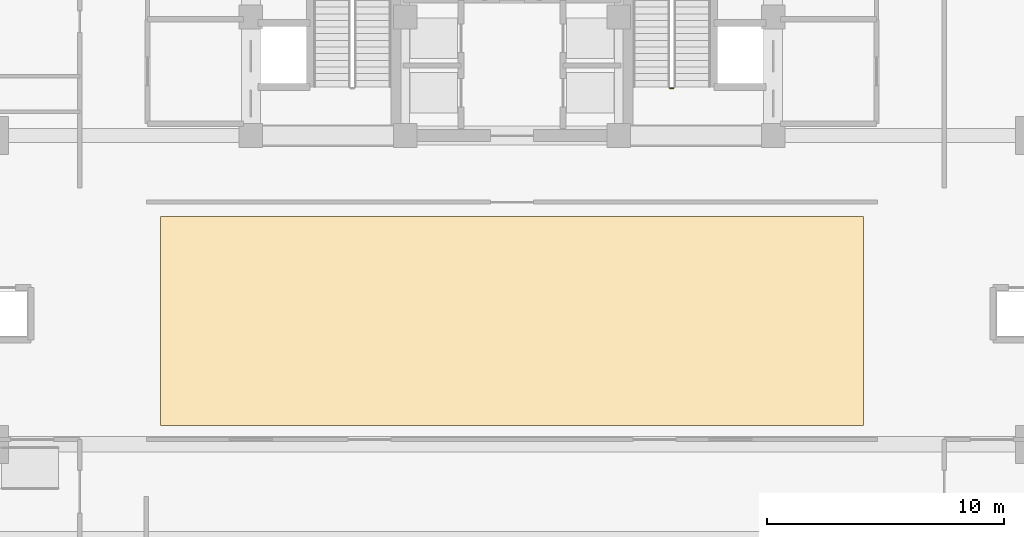
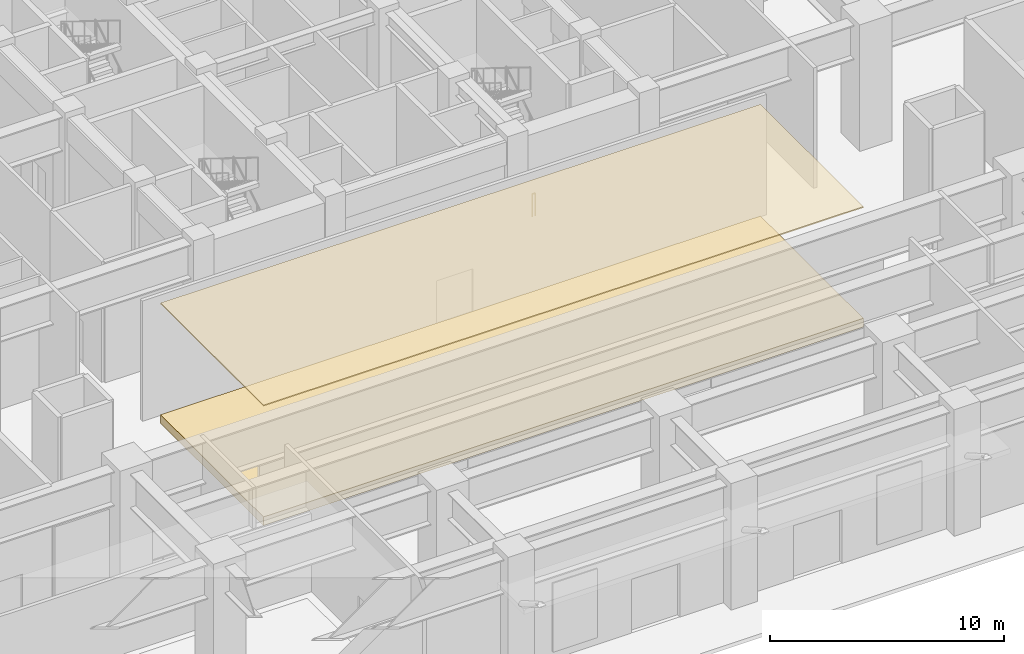
# One storey, part 17 of 21: 2 coverings, 1 railing.
"""IFC4 building model written with IfcOpenShell, lengths in metres."""

from ifc_helpers import new_model, si_unit, direction, frame, origin, origin_2d, place, context, subcontext, project, spatial, polyline, circle, outline, extrude, source, transform, mapped, material, layer, layer_set, type_object, element, save


model = new_model("IFC4")

# Units and contexts
model_context = context("Model", 3, precision=1e-05, world=origin(), true_north=direction((0.0, 1.0)))
body_context = subcontext(model_context, "Body", "Model", "MODEL_VIEW")
ifc_project = project(units=[si_unit("LENGTHUNIT", "METRE"), si_unit("AREAUNIT", "SQUARE_METRE"), si_unit("VOLUMEUNIT", "CUBIC_METRE"), si_unit("PLANEANGLEUNIT", "RADIAN"), si_unit("MASSUNIT", "GRAM", prefix="KILO")], contexts=[model_context])

# Site, building, storey
site_placement = place(None, origin())
site = spatial("IfcSite", under=ifc_project, at=site_placement, CompositionType="ELEMENT")
building_placement = place(site_placement, origin())
building = spatial("IfcBuilding", under=site, at=building_placement, Name="Khorayat Bourse Tower", CompositionType="ELEMENT")
storey_placement = place(building_placement, origin())
storey = spatial("IfcBuildingStorey", under=building, at=storey_placement, Name="L00", CompositionType="ELEMENT", Elevation=0.0)

# Coverings
ifc_material_1 = material(Name="Perforated aluminium acoustic ceiling", Category="aluminium")
ifc_layer_1 = layer(ifc_material_1, 0.06005859375)
ifc_layer_set_1 = layer_set([ifc_layer_1], Name="Perforated aluminium acoustic ceiling")
covering_type_1 = type_object("IfcCoveringType", Name="COV-CEIL-BAFFLE", PredefinedType="CEILING", material=ifc_layer_set_1)
covering_1_placement = place(storey_placement, frame((0.0, 0.0, 6.219970703125)))
element("IfcCovering", 1, at=covering_1_placement, inside=storey, type_object=covering_type_1, Name="L00 Suspended Ceiling 1", PredefinedType="CEILING", context=body_context, shape_type="SweptSolid", body=[
    extrude(outline(polyline([(-14.800048828125, -23.199951171875), (14.800048828125, -23.199951171875), (14.800048828125, -14.39990234375), (-14.800048828125, -14.39990234375), (-14.800048828125, -23.199951171875)])), origin(), (0.0, 0.0, 1.0), 0.06005859375),
])
ifc_material_2 = material(Name="Calcium-sulphate raised access floor")
ifc_layer_2 = layer(ifc_material_2, 0.449951171875)
ifc_layer_set_2 = layer_set([ifc_layer_2], Name="Calcium-sulphate raised access floor")
covering_type_2 = type_object("IfcCoveringType", Name="COV-RAF-TRADING", PredefinedType="FLOORING", material=ifc_layer_set_2)
covering_2_placement = place(storey_placement, origin())
element("IfcCovering", 2, at=covering_2_placement, inside=storey, type_object=covering_type_2, Name="L00 Raised Access Floor 1", PredefinedType="FLOORING", context=body_context, shape_type="SweptSolid", body=[
    extrude(outline(polyline([(-14.800048828125, -23.199951171875), (14.800048828125, -23.199951171875), (14.800048828125, -14.39990234375), (-14.800048828125, -14.39990234375), (-14.800048828125, -23.199951171875)])), origin(), (0.0, 0.0, 1.0), 0.449951171875),
])

# Railing
ifc_material_3 = material(Name="Powder-coated steel balustrade", Category="steel")
railing_type = type_object("IfcRailingType", Name="RLG-GUARD-1200", PredefinedType="GUARDRAIL", material=ifc_material_3)
shared_shape = source(origin(), body_context, "Body", "SweptSolid", [
    extrude(circle(Radius=0.02392578125, at=origin_2d()), frame((0.0, 0.0, 1.17578125), z_axis=(-1.0, 0.0, 0.0), x_axis=(0.0, -1.0, 0.0)), (0.0, 0.0, 1.0), 0.150146484375),
    extrude(circle(Radius=0.02099609375, at=origin_2d()), origin(), (0.0, 0.0, 1.0), 1.15185546875),
    extrude(circle(Radius=0.02099609375, at=origin_2d()), frame((-0.150146484375, 0.0, 0.0)), (0.0, 0.0, 1.0), 1.15185546875),
])
railing_placement = place(storey_placement, frame((6.800048828125, -9.0, 0.0)))
element("IfcRailing", 3, at=railing_placement, inside=storey, type_object=railing_type, Name="L00 ST-3 stair guard 4", PredefinedType="GUARDRAIL", context=body_context, shape_type="MappedRepresentation", body=[
    mapped(shared_shape, transform((0.0, 0.0, 0.0), scale=1.0)),
])

save(model, "model.ifc")
